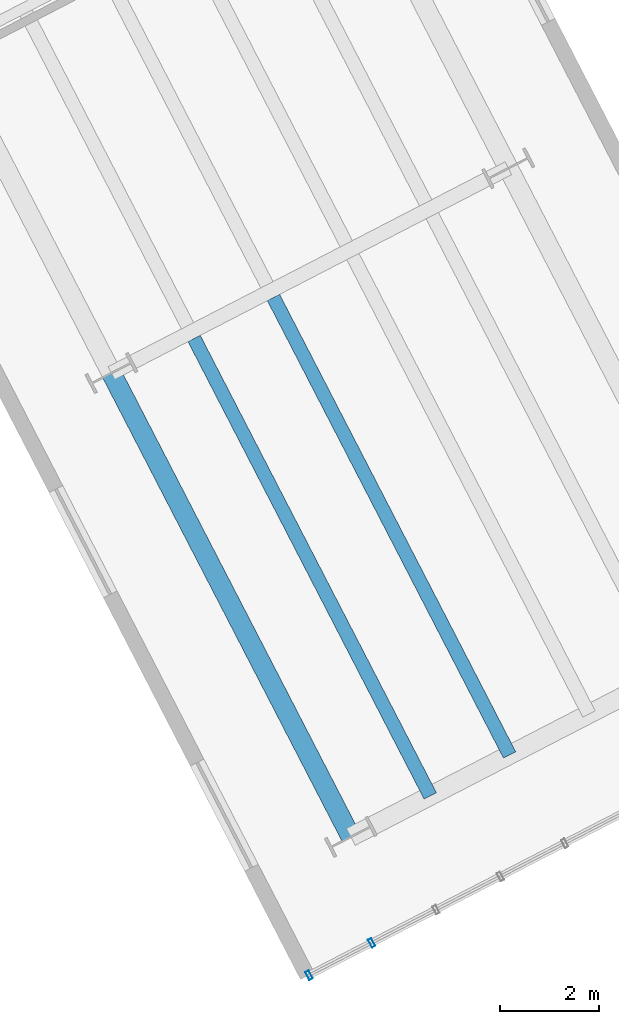
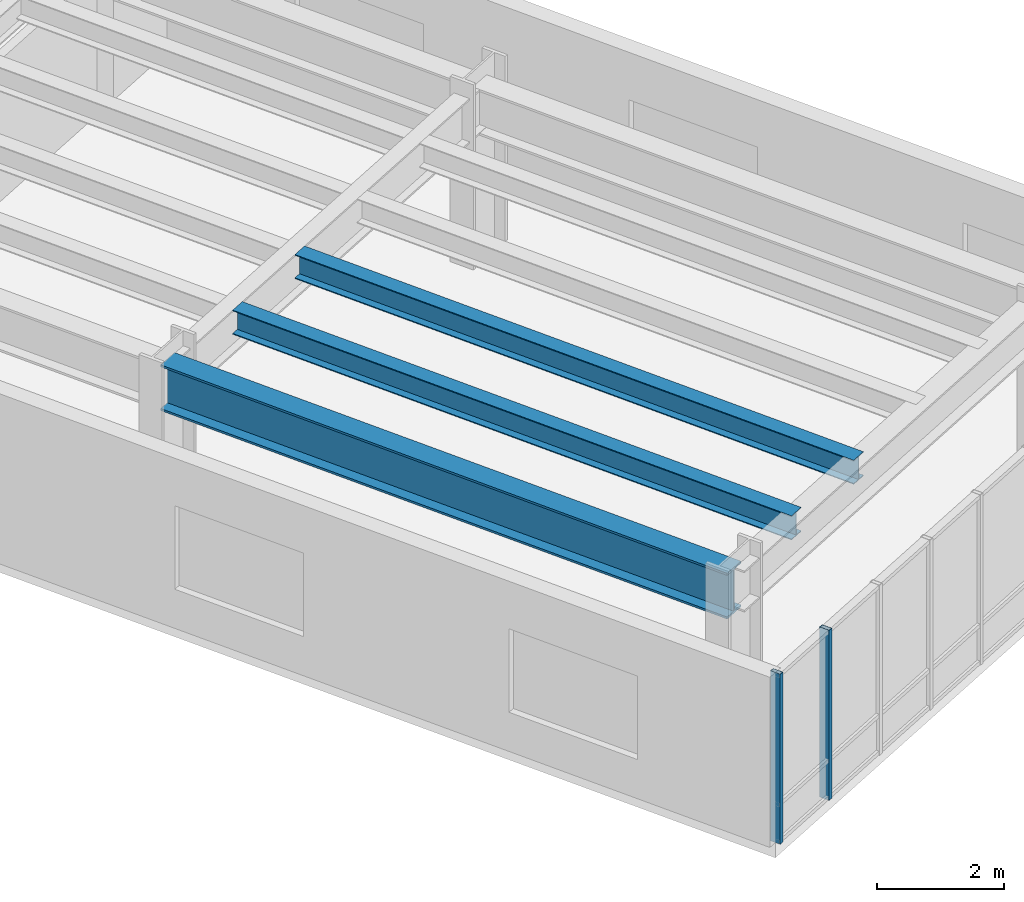
# One storey, part 2 of 10: 3 beams, 2 members, 1 element without a shape of its own.
"""IFC4 building model written with IfcOpenShell, lengths in metres."""

from ifc_helpers import new_model, si_unit, direction, frame, origin, origin_2d, place, context, subcontext, project, spatial, hollow_rectangle, i_section, extrude, material, layer, layer_set, material_profile, profile_set, type_object, element, aggregate, save


model = new_model("IFC4")

# Units and contexts
model_context = context("Model", 3, precision=1e-05, world=origin(), true_north=direction((0.0, 1.0)))
body_context = subcontext(model_context, "Body", "Model", "MODEL_VIEW")
ifc_project = project(units=[si_unit("LENGTHUNIT", "METRE"), si_unit("AREAUNIT", "SQUARE_METRE"), si_unit("VOLUMEUNIT", "CUBIC_METRE"), si_unit("PLANEANGLEUNIT", "RADIAN"), si_unit("MASSUNIT", "GRAM", prefix="KILO"), si_unit("THERMODYNAMICTEMPERATUREUNIT", "KELVIN"), si_unit("POWERUNIT", "WATT")], contexts=[model_context])

# Site, building, storey
site_placement = place(None, origin())
site = spatial("IfcSite", under=ifc_project, at=site_placement, CompositionType="ELEMENT")
building_placement = place(site_placement, origin())
building = spatial("IfcBuilding", under=site, at=building_placement, Name="Skarre Station Tower", CompositionType="ELEMENT")
storey_placement = place(building_placement, frame((0.0, 0.0, 238.35009765625)))
storey = spatial("IfcBuildingStorey", under=building, at=storey_placement, Name="L65", CompositionType="ELEMENT", Elevation=238.35009765625)

# Curtain wall, members
ifc_material_1 = material(Name="Thermally Broken Bronze-Anodized Aluminium & Triple Low-E Glass", Category="aluminium")
ifc_layer = layer(ifc_material_1, 0.2099609375, Name="Thermally Broken Bronze-Anodized Aluminium & Triple Low-E Glass")
ifc_layer_set = layer_set([ifc_layer], Name="Thermally Broken Bronze-Anodized Aluminium & Triple Low-E Glass")
curtain_wall_type = type_object("IfcCurtainWallType", Name="Sky-Bar Prow Structural Glazed Curtain Wall", PredefinedType="NOTDEFINED", material=ifc_layer_set)
curtain_wall_placement = place(storey_placement, origin())
curtain_wall = element("IfcCurtainWall", 1, at=curtain_wall_placement, inside=storey, type_object=curtain_wall_type, Name="L65 SB-5 Lakefront Prow Curtain Wall", PredefinedType="NOTDEFINED")
ifc_material_2 = material(Name="Anodized Aluminium 6063-T6", Category="aluminium")
ifc_material_profile_1 = material_profile(ifc_material_2, hollow_rectangle(XDim=0.074951171875, YDim=0.179931640625, WallThickness=0.00390625, at=origin_2d()), Name="Anodized Aluminium 6063-T6")
ifc_profile_set_1 = profile_set([ifc_material_profile_1], Name="Anodized Aluminium 6063-T6")
member_type = type_object("IfcMemberType", Name="Curtain-Wall Unitised Tower Mullion 180x75", PredefinedType="MULLION", material=ifc_profile_set_1)
member_1_placement = place(storey_placement, frame((46.5439453125, -9.54296875, 0.0), z_axis=(0.0, 0.0, 1.0), x_axis=(-0.888577204547, -0.45872709922, 0.0)))
member_1 = element("IfcMember", 2, at=member_1_placement, type_object=member_type, Name="L65 SB-5 Lakefront Prow Curtain Wall Mullion 9", PredefinedType="MULLION", context=body_context, shape_type="SweptSolid", body=[
    extrude(hollow_rectangle(XDim=0.074951171875, YDim=0.179931640625, WallThickness=0.00390625, at=origin_2d()), origin(), (0.0, 0.0, 1.0), 3.260009765625),
])
member_2_placement = place(storey_placement, frame((45.277099609375, -10.197998046875, 0.0), z_axis=(0.0, 0.0, 1.0), x_axis=(-0.888577204547, -0.45872709922, 0.0)))
member_2 = element("IfcMember", 3, at=member_2_placement, type_object=member_type, Name="L65 SB-5 Lakefront Prow Curtain Wall Mullion 10", PredefinedType="MULLION", context=body_context, shape_type="SweptSolid", body=[
    extrude(hollow_rectangle(XDim=0.074951171875, YDim=0.179931640625, WallThickness=0.00390625, at=origin_2d()), origin(), (0.0, 0.0, 1.0), 3.260009765625),
])
aggregate(curtain_wall, [member_1, member_2])

# Beams
ifc_material_3 = material(Name="Steel ASTM A992 Grade 50", Category="steel")
ifc_material_profile_2 = material_profile(ifc_material_3, i_section(OverallWidth=0.40087890625, OverallDepth=0.876953125, WebThickness=0.02197265625, FlangeThickness=0.0400390625, at=origin_2d()), Name="Steel ASTM A992 Grade 50")
ifc_profile_set_2 = profile_set([ifc_material_profile_2], Name="Steel ASTM A992 Grade 50")
beam_type_1 = type_object("IfcBeamType", Name="Steel Beam W33X263", PredefinedType="BEAM", material=ifc_profile_set_2)
beam_1_placement = place(storey_placement, frame((41.27392578125, 1.9951171875, 2.822021484375), z_axis=(0.458761762257, -0.888559308933, 0.0), x_axis=(0.888559308933, 0.458761762257, 0.0)))
element("IfcBeam", 4, at=beam_1_placement, inside=storey, type_object=beam_type_1, Name="L65 SB-5 Side 1 Outer Girder", PredefinedType="BEAM", context=body_context, shape_type="SweptSolid", body=[
    extrude(i_section(OverallWidth=0.40087890625, OverallDepth=0.876953125, WebThickness=0.02197265625, FlangeThickness=0.0400390625, at=origin_2d()), origin(), (0.0, 0.0, 1.0), 10.570068359375),
])
ifc_material_profile_3 = material_profile(ifc_material_3, i_section(OverallWidth=0.280029296875, OverallDepth=0.462890625, WebThickness=0.010986328125, FlangeThickness=0.01708984375, at=origin_2d()), Name="Steel ASTM A992 Grade 50")
ifc_profile_set_3 = profile_set([ifc_material_profile_3], Name="Steel ASTM A992 Grade 50")
beam_type_2 = type_object("IfcBeamType", Name="Steel Joist W18X76", PredefinedType="JOIST", material=ifc_profile_set_3)
beam_2_placement = place(storey_placement, frame((42.947998046875, 2.697021484375, 3.02880859375), z_axis=(0.458762809961, -0.888558768004, 0.0), x_axis=(0.888558768004, 0.458762809961, 0.0)))
element("IfcBeam", 5, at=beam_2_placement, inside=storey, type_object=beam_type_2, Name="L65 SB-5 Outer Deck Joist 1", PredefinedType="JOIST", context=body_context, shape_type="SweptSolid", body=[
    extrude(i_section(OverallWidth=0.280029296875, OverallDepth=0.462890625, WebThickness=0.010986328125, FlangeThickness=0.01708984375, at=origin_2d()), origin(), (0.0, 0.0, 1.0), 10.42578125),
])
beam_3_placement = place(storey_placement, frame((44.554931640625, 3.527099609375, 3.02880859375), z_axis=(0.458753264473, -0.888563696274, 0.0), x_axis=(0.888563696274, 0.458753264473, 0.0)))
element("IfcBeam", 6, at=beam_3_placement, inside=storey, type_object=beam_type_2, Name="L65 SB-5 Outer Deck Joist 2", PredefinedType="JOIST", context=body_context, shape_type="SweptSolid", body=[
    extrude(i_section(OverallWidth=0.280029296875, OverallDepth=0.462890625, WebThickness=0.010986328125, FlangeThickness=0.01708984375, at=origin_2d()), origin(), (0.0, 0.0, 1.0), 10.426025390625),
])

save(model, "model.ifc")
